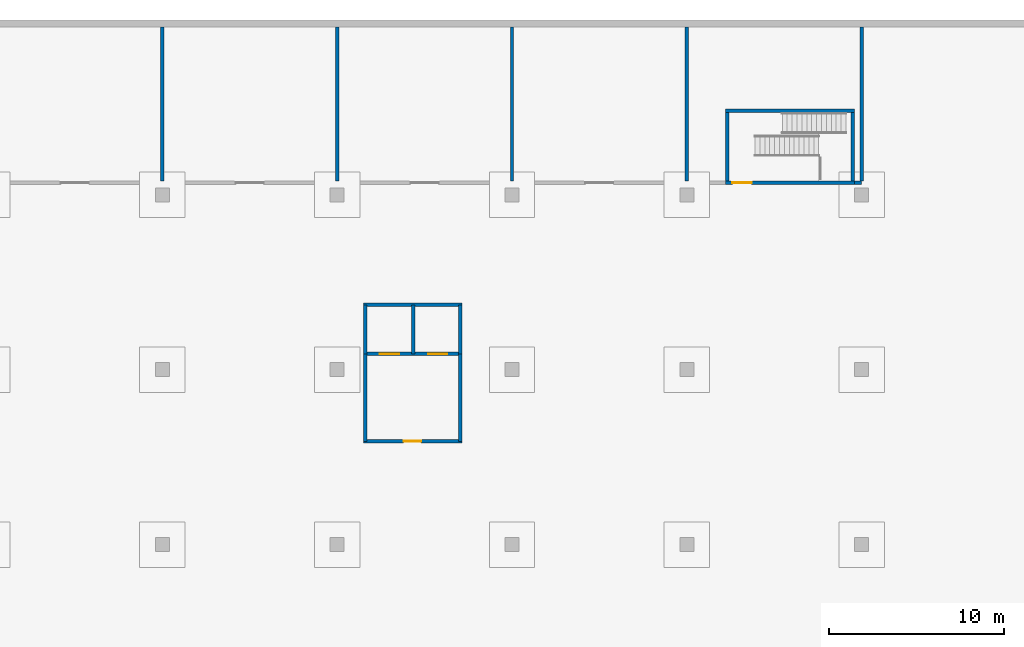
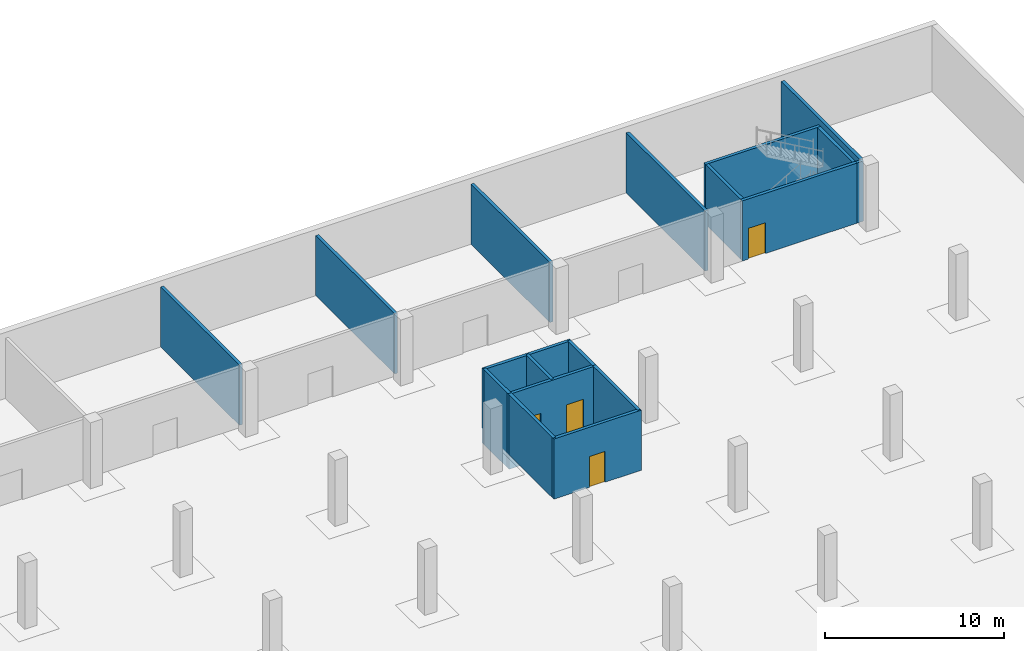
# One storey, part 14 of 19: 18 walls, 4 doors, 4 openings.
"""IFC4 building model written with IfcOpenShell, lengths in metres."""

from ifc_helpers import new_model, si_unit, direction, frame, frame_2d, origin, place, context, subcontext, project, spatial, rectangle, extrude, material, layer, layer_set, type_object, element, fill, save


model = new_model("IFC4")

# Units and contexts
model_context = context("Model", 3, precision=1e-05, world=origin(), true_north=direction((0.0, 1.0)))
body_context = subcontext(model_context, "Body", "Model", "MODEL_VIEW")
ifc_project = project(units=[si_unit("LENGTHUNIT", "METRE"), si_unit("AREAUNIT", "SQUARE_METRE"), si_unit("VOLUMEUNIT", "CUBIC_METRE"), si_unit("PLANEANGLEUNIT", "RADIAN"), si_unit("MASSUNIT", "GRAM", prefix="KILO")], contexts=[model_context])

# Site, building, storey
site_placement = place(None, origin())
site = spatial("IfcSite", under=ifc_project, at=site_placement, CompositionType="ELEMENT")
building_placement = place(site_placement, origin())
building = spatial("IfcBuilding", under=site, at=building_placement, Name="Qaws Garden Tower", CompositionType="ELEMENT")
storey_placement = place(building_placement, frame((0.0, 0.0, -9.0)))
storey = spatial("IfcBuildingStorey", under=building, at=storey_placement, Name="B2", CompositionType="ELEMENT", Elevation=-9.0)

# Wall, openings, doors
ifc_material_1 = material(Name="Concrete C40", Category="concrete")
ifc_layer_1 = layer(ifc_material_1, 0.199951171875)
ifc_layer_set_1 = layer_set([ifc_layer_1], Name="Concrete C40")
wall_type_1 = type_object("IfcWallType", Name="Lift shaft wall 200", PredefinedType="SOLIDWALL", material=ifc_layer_set_1)
wall_1_placement = place(storey_placement, frame((71.5, 90.89990234375, -1.0), z_axis=(0.0, 0.0, 1.0), x_axis=(1.0, 0.0, 0.0)))
wall_1 = element("IfcWall", 1, at=wall_1_placement, inside=storey, type_object=wall_type_1, Name="Lift shaft south wall", PredefinedType="SOLIDWALL", context=body_context, shape_type="SweptSolid", body=[
    extrude(rectangle(XDim=5.64990234375, YDim=0.199951171875, at=frame_2d((2.824951171875, 0.0))), origin(), (0.0, 0.0, 1.0), 5.10009765625),
])
opening_1_placement = place(wall_1_placement, frame((0.949951171875, 0.0, 1.0)))
opening_1 = element("IfcOpeningElement", 2, at=opening_1_placement, cuts=wall_1, Name="Opening LD-01", PredefinedType="OPENING", context=body_context, shape_type="SweptSolid", body=[
    extrude(rectangle(XDim=1.10009765625, YDim=2.10009765625, at=frame_2d((0.550048828125, 1.050048828125))), frame((0.0, 0.10986328125, 0.0), z_axis=(0.0, -1.0, 0.0), x_axis=(1.0, 0.0, 0.0)), (0.0, 0.0, 1.0), 0.219970703125),
])
opening_2_placement = place(wall_1_placement, frame((3.699951171875, 0.0, 1.0)))
opening_2 = element("IfcOpeningElement", 3, at=opening_2_placement, cuts=wall_1, Name="Opening LD-02", PredefinedType="OPENING", context=body_context, shape_type="SweptSolid", body=[
    extrude(rectangle(XDim=1.10009765625, YDim=2.10009765625, at=frame_2d((0.550048828125, 1.050048828125))), frame((0.0, 0.10986328125, 0.0), z_axis=(0.0, -1.0, 0.0), x_axis=(1.0, 0.0, 0.0)), (0.0, 0.0, 1.0), 0.219970703125),
])
ifc_material_2 = material(Name="Steel S235", Category="steel")
door_type_1 = type_object("IfcDoorType", Name="Landing door 1100x2100", OperationType="DOUBLE_DOOR_SLIDING", PredefinedType="DOOR", material=ifc_material_2)
door_1_placement = place(opening_1_placement, origin())
door_1 = element("IfcDoor", 4, at=door_1_placement, inside=storey, type_object=door_type_1, Name="Lift landing door", OperationType="DOUBLE_DOOR_SLIDING", OverallHeight=2.10009765625, OverallWidth=1.10009765625, PredefinedType="DOOR", context=body_context, shape_type="SweptSolid", body=[
    extrude(rectangle(XDim=1.10009765625, YDim=2.10009765625, at=frame_2d((0.550048828125, 1.050048828125))), frame((0.0, 0.02490234375, 0.0), z_axis=(0.0, -1.0, 0.0), x_axis=(1.0, 0.0, 0.0)), (0.0, 0.0, 1.0), 0.050048828125),
])
fill(opening_1, door_1)
door_2_placement = place(opening_2_placement, origin())
door_2 = element("IfcDoor", 5, at=door_2_placement, inside=storey, type_object=door_type_1, Name="Lift landing door", OperationType="DOUBLE_DOOR_SLIDING", OverallHeight=2.10009765625, OverallWidth=1.10009765625, PredefinedType="DOOR", context=body_context, shape_type="SweptSolid", body=[
    extrude(rectangle(XDim=1.10009765625, YDim=2.10009765625, at=frame_2d((0.550048828125, 1.050048828125))), frame((0.0, 0.02490234375, 0.0), z_axis=(0.0, -1.0, 0.0), x_axis=(1.0, 0.0, 0.0)), (0.0, 0.0, 1.0), 0.050048828125),
])
fill(opening_2, door_2)

# Walls
wall_2_placement = place(storey_placement, frame((71.5, 93.699951171875, -1.0), z_axis=(0.0, 0.0, 1.0), x_axis=(1.0, 0.0, 0.0)))
element("IfcWall", 6, at=wall_2_placement, inside=storey, type_object=wall_type_1, Name="Lift shaft north wall", PredefinedType="SOLIDWALL", context=body_context, shape_type="SweptSolid", body=[
    extrude(rectangle(XDim=5.64990234375, YDim=0.199951171875, at=frame_2d((2.824951171875, 0.0))), origin(), (0.0, 0.0, 1.0), 5.10009765625),
])
for number, where, z_axis, x_axis, name in (
    (7, (71.60009765625, 90.89990234375, -1.0), (0.0, 0.0, 1.0), (0.0, 1.0, 0.0), "Lift shaft west wall"),
    (8, (74.35009765625, 90.89990234375, -1.0), (0.0, 0.0, 1.0), (0.0, 1.0, 0.0), "Lift shaft partition"),
    (9, (77.050048828125, 90.89990234375, -1.0), (0.0, 0.0, 1.0), (0.0, 1.0, 0.0), "Lift shaft east wall"),
):
    element("IfcWall", number, at=place(storey_placement, frame(where, z_axis=z_axis, x_axis=x_axis)), inside=storey, type_object=wall_type_1, Name=name, PredefinedType="SOLIDWALL", context=body_context, shape_type="SweptSolid", body=[
        extrude(rectangle(XDim=2.800048828125, YDim=0.199951171875, at=frame_2d((1.39990234375, 0.0))), origin(), (0.0, 0.0, 1.0), 5.10009765625),
    ])
ifc_material_3 = material(Name="Blockwork", Category="masonry")
ifc_layer_2 = layer(ifc_material_3, 0.199951171875)
ifc_layer_set_2 = layer_set([ifc_layer_2], Name="Blockwork")
wall_type_2 = type_object("IfcWallType", Name="Plant room wall 200", PredefinedType="PARTITIONING", material=ifc_layer_set_2)
wall_3_placement = place(storey_placement, frame((99.60009765625, 100.699951171875, 0.0), z_axis=(0.0, 0.0, 1.0), x_axis=(1.0, 0.0, 0.0)))
element("IfcWall", 10, at=wall_3_placement, inside=storey, type_object=wall_type_2, Name="Plant room wall", PredefinedType="PARTITIONING", context=body_context, shape_type="SweptSolid", body=[
    extrude(rectangle(XDim=0.39990234375, YDim=0.199951171875, at=frame_2d((0.199951171875, 0.0))), origin(), (0.0, 0.0, 1.0), 4.10009765625),
])
for number, where, z_axis, x_axis, name in (
    (11, (60.0, 100.800048828125, 0.0), (0.0, 0.0, 1.0), (0.0, 1.0, 0.0), "Plant room partition"),
    (12, (70.0, 100.800048828125, 0.0), (0.0, 0.0, 1.0), (0.0, 1.0, 0.0), "Plant room partition"),
    (13, (80.0, 100.800048828125, 0.0), (0.0, 0.0, 1.0), (0.0, 1.0, 0.0), "Plant room partition"),
    (14, (90.0, 100.800048828125, 0.0), (0.0, 0.0, 1.0), (0.0, 1.0, 0.0), "Plant room partition"),
    (15, (100.0, 100.800048828125, 0.0), (0.0, 0.0, 1.0), (0.0, 1.0, 0.0), "Plant room partition"),
):
    element("IfcWall", number, at=place(storey_placement, frame(where, z_axis=z_axis, x_axis=x_axis)), inside=storey, type_object=wall_type_2, Name=name, PredefinedType="PARTITIONING", context=body_context, shape_type="SweptSolid", body=[
        extrude(rectangle(XDim=8.800048828125, YDim=0.199951171875, at=frame_2d((4.39990234375, 0.0))), origin(), (0.0, 0.0, 1.0), 4.10009765625),
    ])
for number, where, z_axis, x_axis, name in (
    (16, (71.60009765625, 85.89990234375, 0.0), (0.0, 0.0, 1.0), (0.0, 1.0, 0.0), "Lift lobby west wall"),
    (17, (77.050048828125, 85.89990234375, 0.0), (0.0, 0.0, 1.0), (0.0, 1.0, 0.0), "Lift lobby east wall"),
):
    element("IfcWall", number, at=place(storey_placement, frame(where, z_axis=z_axis, x_axis=x_axis)), inside=storey, type_object=wall_type_2, Name=name, PredefinedType="PARTITIONING", context=body_context, shape_type="SweptSolid", body=[
        extrude(rectangle(XDim=5.0, YDim=0.199951171875, at=frame_2d((2.5, 0.0))), origin(), (0.0, 0.0, 1.0), 4.10009765625),
    ])

# Wall, opening, door
wall_4_placement = place(storey_placement, frame((71.5, 85.89990234375, 0.0), z_axis=(0.0, 0.0, 1.0), x_axis=(1.0, 0.0, 0.0)))
wall_4 = element("IfcWall", 18, at=wall_4_placement, inside=storey, type_object=wall_type_2, Name="Lift lobby south wall", PredefinedType="PARTITIONING", context=body_context, shape_type="SweptSolid", body=[
    extrude(rectangle(XDim=5.64990234375, YDim=0.199951171875, at=frame_2d((2.824951171875, 0.0))), origin(), (0.0, 0.0, 1.0), 4.10009765625),
])
opening_3_placement = place(wall_4_placement, frame((2.300048828125, 0.0, 0.0)))
opening_3 = element("IfcOpeningElement", 19, at=opening_3_placement, cuts=wall_4, Name="Opening PD12-01", PredefinedType="OPENING", context=body_context, shape_type="SweptSolid", body=[
    extrude(rectangle(XDim=1.0, YDim=2.10009765625, at=frame_2d((0.5, 1.050048828125))), frame((0.0, 0.10986328125, 0.0), z_axis=(0.0, -1.0, 0.0), x_axis=(1.0, 0.0, 0.0)), (0.0, 0.0, 1.0), 0.219970703125),
])
ifc_material_4 = material(Name="Steel S235 framed door leaf", Category="steel")
door_type_2 = type_object("IfcDoorType", Name="Door D12 fire single 1000", OperationType="SINGLE_SWING_LEFT", PredefinedType="DOOR", material=ifc_material_4)
door_3_placement = place(opening_3_placement, origin())
door_3 = element("IfcDoor", 20, at=door_3_placement, inside=storey, type_object=door_type_2, Name="Lift lobby door", OperationType="SINGLE_SWING_LEFT", OverallHeight=2.10009765625, OverallWidth=1.0, PredefinedType="DOOR", context=body_context, shape_type="SweptSolid", body=[
    extrude(rectangle(XDim=1.0, YDim=2.10009765625, at=frame_2d((0.5, 1.050048828125))), frame((0.0, 0.02490234375, 0.0), z_axis=(0.0, -1.0, 0.0), x_axis=(1.0, 0.0, 0.0)), (0.0, 0.0, 1.0), 0.050048828125),
])
fill(opening_3, door_3)

ifc_material_5 = material(Name="Concrete C40", Category="concrete")
ifc_layer_3 = layer(ifc_material_5, 0.199951171875)
ifc_layer_set_3 = layer_set([ifc_layer_3], Name="Concrete C40")
wall_type_3 = type_object("IfcWallType", Name="Stair enclosure wall 200", PredefinedType="SOLIDWALL", material=ifc_layer_set_3)
wall_5_placement = place(storey_placement, frame((92.199951171875, 100.699951171875, 0.0), z_axis=(0.0, 0.0, 1.0), x_axis=(1.0, 0.0, 0.0)))
wall_5 = element("IfcWall", 21, at=wall_5_placement, inside=storey, type_object=wall_type_3, Name="Stair N2 enclosure wall", PredefinedType="SOLIDWALL", context=body_context, shape_type="SweptSolid", body=[
    extrude(rectangle(XDim=7.400146484375, YDim=0.199951171875, at=frame_2d((3.7001953125, 0.0))), origin(), (0.0, 0.0, 1.0), 4.10009765625),
])
opening_4_placement = place(wall_5_placement, frame((0.39990234375, 0.0, 0.0)))
opening_4 = element("IfcOpeningElement", 22, at=opening_4_placement, cuts=wall_5, Name="Opening PD4-02", PredefinedType="OPENING", context=body_context, shape_type="SweptSolid", body=[
    extrude(rectangle(XDim=1.10009765625, YDim=2.10009765625, at=frame_2d((0.550048828125, 1.050048828125))), frame((0.0, 0.10986328125, 0.0), z_axis=(0.0, -1.0, 0.0), x_axis=(1.0, 0.0, 0.0)), (0.0, 0.0, 1.0), 0.219970703125),
])
ifc_material_6 = material(Name="Steel S235 framed door leaf", Category="steel")
door_type_3 = type_object("IfcDoorType", Name="Door D4 fire stair 1100", OperationType="SINGLE_SWING_LEFT", PredefinedType="DOOR", material=ifc_material_6)
door_4_placement = place(opening_4_placement, origin())
door_4 = element("IfcDoor", 23, at=door_4_placement, inside=storey, type_object=door_type_3, Name="Exit stair door", OperationType="SINGLE_SWING_LEFT", OverallHeight=2.10009765625, OverallWidth=1.10009765625, PredefinedType="DOOR", context=body_context, shape_type="SweptSolid", body=[
    extrude(rectangle(XDim=1.10009765625, YDim=2.10009765625, at=frame_2d((0.550048828125, 1.050048828125))), frame((0.0, 0.02490234375, 0.0), z_axis=(0.0, -1.0, 0.0), x_axis=(1.0, 0.0, 0.0)), (0.0, 0.0, 1.0), 0.050048828125),
])
fill(opening_4, door_4)

# Walls
wall_6_placement = place(storey_placement, frame((92.199951171875, 104.800048828125, 0.0), z_axis=(0.0, 0.0, 1.0), x_axis=(1.0, 0.0, 0.0)))
element("IfcWall", 24, at=wall_6_placement, inside=storey, type_object=wall_type_3, Name="Stair N2 enclosure wall", PredefinedType="SOLIDWALL", context=body_context, shape_type="SweptSolid", body=[
    extrude(rectangle(XDim=7.400146484375, YDim=0.199951171875, at=frame_2d((3.7001953125, 0.0))), origin(), (0.0, 0.0, 1.0), 4.10009765625),
])
for number, where, z_axis, x_axis, name in (
    (25, (92.300048828125, 100.800048828125, 0.0), (0.0, 0.0, 1.0), (0.0, 1.0, 0.0), "Stair N2 enclosure wall"),
    (26, (99.5, 100.800048828125, 0.0), (0.0, 0.0, 1.0), (0.0, 1.0, 0.0), "Stair N2 enclosure wall"),
):
    element("IfcWall", number, at=place(storey_placement, frame(where, z_axis=z_axis, x_axis=x_axis)), inside=storey, type_object=wall_type_3, Name=name, PredefinedType="SOLIDWALL", context=body_context, shape_type="SweptSolid", body=[
        extrude(rectangle(XDim=3.89990234375, YDim=0.199951171875, at=frame_2d((1.949951171875, 0.0))), origin(), (0.0, 0.0, 1.0), 4.10009765625),
    ])

save(model, "model.ifc")
